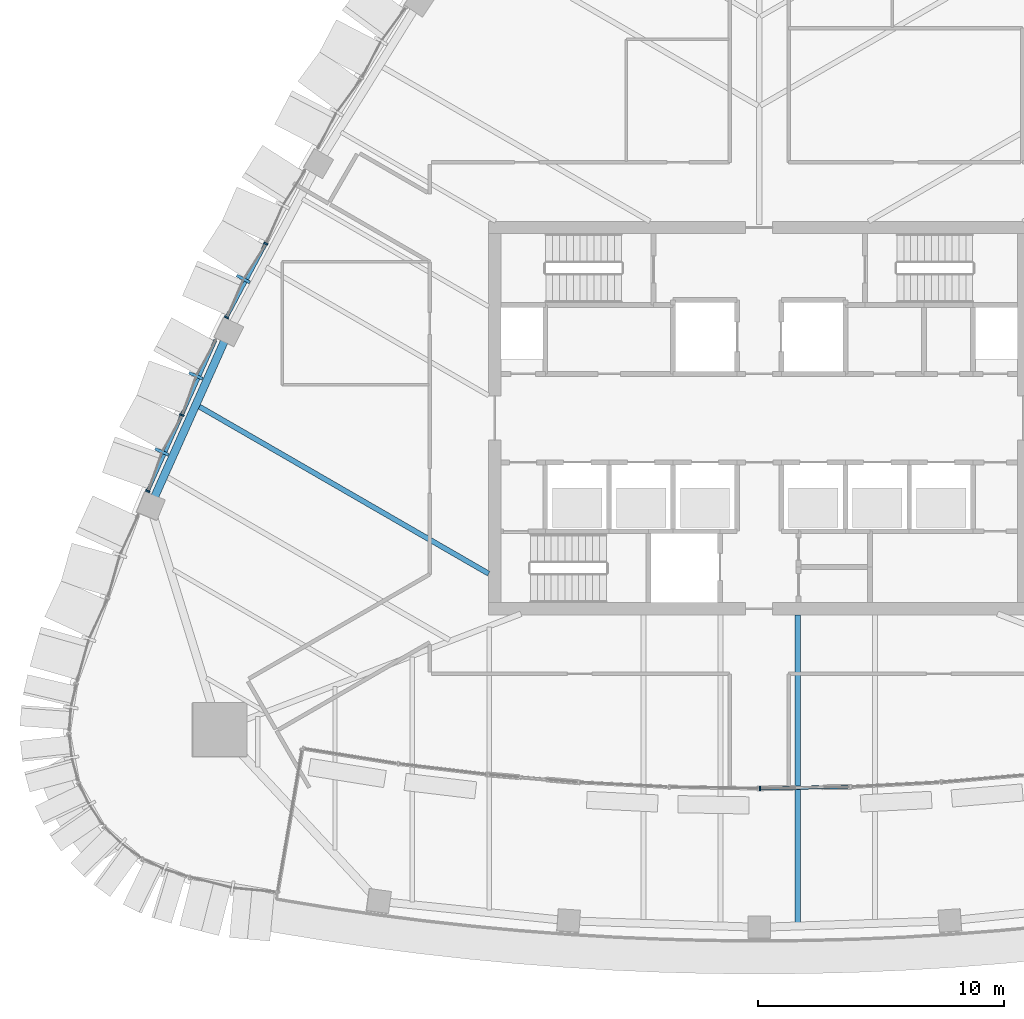
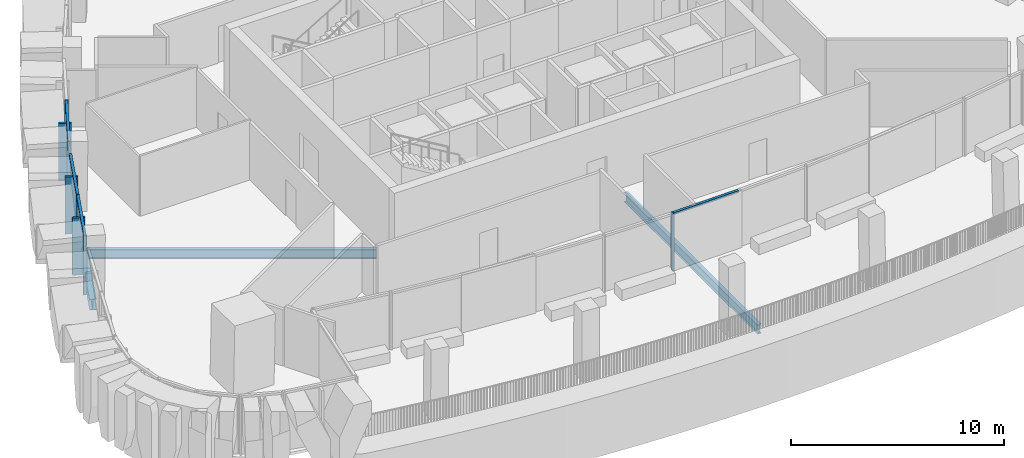
# One storey, part 3 of 22: 12 members, 3 beams, 3 elements without a shape of their own.
"""IFC4 building model written with IfcOpenShell, lengths in metres."""

from ifc_helpers import new_model, si_unit, direction, frame, origin, origin_2d, place, context, subcontext, project, spatial, rectangle, i_section, extrude, material, layer, layer_set, material_profile, profile_set, type_object, element, aggregate, save


model = new_model("IFC4")

# Units and contexts
model_context = context("Model", 3, precision=1e-05, world=origin(), true_north=direction((0.0, 1.0)))
body_context = subcontext(model_context, "Body", "Model", "MODEL_VIEW")
ifc_project = project(units=[si_unit("LENGTHUNIT", "METRE"), si_unit("AREAUNIT", "SQUARE_METRE"), si_unit("VOLUMEUNIT", "CUBIC_METRE"), si_unit("PLANEANGLEUNIT", "RADIAN"), si_unit("MASSUNIT", "GRAM", prefix="KILO")], contexts=[model_context])

# Site, building, storey
site_placement = place(None, origin())
site = spatial("IfcSite", under=ifc_project, at=site_placement, CompositionType="ELEMENT")
building_placement = place(site_placement, origin())
building = spatial("IfcBuilding", under=site, at=building_placement, Name="Sierra Prisma Convention Tower", CompositionType="ELEMENT")
storey_placement = place(building_placement, frame((0.0, 0.0, 243.0)))
storey = spatial("IfcBuildingStorey", under=building, at=storey_placement, Name="L54", CompositionType="ELEMENT", Elevation=243.0)

# Curtain wall, member
ifc_material_1 = material(Name="Aluminium and glass curtain wall", Category="aluminium")
ifc_layer_1 = layer(ifc_material_1, 0.179931640625)
ifc_layer_set_1 = layer_set([ifc_layer_1], Name="CW-2 Faceted crystal curtain wall")
curtain_wall_type_1 = type_object("IfcCurtainWallType", Name="CW-2 Faceted crystal curtain wall", PredefinedType="NOTDEFINED", material=ifc_layer_set_1)
curtain_wall_1_placement = place(storey_placement, origin())
curtain_wall_1 = element("IfcCurtainWall", 1, at=curtain_wall_1_placement, inside=storey, type_object=curtain_wall_type_1, Name="CW-2 NW4 L54", PredefinedType="NOTDEFINED")
ifc_material_2 = material(Name="Aluminium 6063-T6 bronze anodised", Category="aluminium")
ifc_material_profile_1 = material_profile(ifc_material_2, rectangle(XDim=0.1201171875, YDim=0.60009765625, at=origin_2d()), Name="ALU RIDGE BLADE 120x600")
ifc_profile_set_1 = profile_set([ifc_material_profile_1], Name="Aluminium 6063-T6 bronze anodised")
member_type_1 = type_object("IfcMemberType", Name="CW hip bronze", PredefinedType="MULLION", material=ifc_profile_set_1)
member_1_placement = place(storey_placement, frame((-20.97802734375, 5.656982421875, 0.0), z_axis=(0.0, 0.0, 1.0), x_axis=(-0.4701451722, -0.882589098651, 0.0)))
member_1 = element("IfcMember", 2, at=member_1_placement, type_object=member_type_1, Name="CW-2 ridge NW4.2", PredefinedType="MULLION", context=body_context, shape_type="SweptSolid", body=[
    extrude(rectangle(XDim=0.1201171875, YDim=0.60009765625, at=origin_2d()), origin(), (0.0, 0.0, 1.0), 3.280029296875),
])

# Curtain wall, members
curtain_wall_2_placement = place(storey_placement, origin())
curtain_wall_2 = element("IfcCurtainWall", 3, at=curtain_wall_2_placement, inside=storey, type_object=curtain_wall_type_1, Name="CW-2 NW5 L54", PredefinedType="NOTDEFINED")
member_2_placement = place(storey_placement, frame((-22.905517578125, 1.720458984375, 0.0), z_axis=(0.0, 0.0, 1.0), x_axis=(-0.408826858445, -0.912611965632, 0.0)))
member_2 = element("IfcMember", 4, at=member_2_placement, type_object=member_type_1, Name="CW-2 ridge NW5.1", PredefinedType="MULLION", context=body_context, shape_type="SweptSolid", body=[
    extrude(rectangle(XDim=0.1201171875, YDim=0.60009765625, at=origin_2d()), origin(), (0.0, 0.0, 1.0), 3.280029296875),
])
member_3_placement = place(storey_placement, frame((-24.2900390625, -1.3701171875, 0.0), z_axis=(0.0, 0.0, 1.0), x_axis=(-0.408826858445, -0.912611965632, 0.0)))
member_3 = element("IfcMember", 5, at=member_3_placement, type_object=member_type_1, Name="CW-2 ridge NW5.2", PredefinedType="MULLION", context=body_context, shape_type="SweptSolid", body=[
    extrude(rectangle(XDim=0.1201171875, YDim=0.60009765625, at=origin_2d()), origin(), (0.0, 0.0, 1.0), 3.280029296875),
])

# Member
ifc_material_3 = material(Name="Aluminium 6063-T6 bronze anodised", Category="aluminium")
ifc_material_profile_2 = material_profile(ifc_material_3, rectangle(XDim=0.179931640625, YDim=0.070068359375, at=origin_2d()), Name="ALU MULLION 70x180")
ifc_profile_set_2 = profile_set([ifc_material_profile_2], Name="Aluminium 6063-T6 bronze anodised")
member_type_2 = type_object("IfcMemberType", Name="CW mullion bronze", PredefinedType="MULLION", material=ifc_profile_set_2)
member_4_placement = place(storey_placement, frame((-20.0625, 7.096923828125, 0.0), z_axis=(0.0, 0.0, 1.0), x_axis=(0.882589098651, -0.4701451722, 0.0)))
member_4 = element("IfcMember", 6, at=member_4_placement, type_object=member_type_2, Name="CW-1 mullion NW4.2", PredefinedType="MULLION", context=body_context, shape_type="SweptSolid", body=[
    extrude(rectangle(XDim=0.179931640625, YDim=0.070068359375, at=origin_2d()), origin(), (0.0, 0.0, 1.0), 3.39990234375),
])

member_5_placement = place(storey_placement, frame((-21.662109375, 4.09375, 0.0), z_axis=(0.0, 0.0, 1.0), x_axis=(0.882589098651, -0.4701451722, 0.0)))
member_5 = element("IfcMember", 7, at=member_5_placement, type_object=member_type_2, Name="CW-1 mullion NW4.3", PredefinedType="MULLION", context=body_context, shape_type="SweptSolid", body=[
    extrude(rectangle(XDim=0.179931640625, YDim=0.070068359375, at=origin_2d()), origin(), (0.0, 0.0, 1.0), 3.39990234375),
])

member_6_placement = place(storey_placement, frame((-23.478759765625, 0.121826171875, 0.0), z_axis=(0.0, 0.0, 1.0), x_axis=(0.912611965632, -0.408826858445, 0.0)))
member_6 = element("IfcMember", 8, at=member_6_placement, type_object=member_type_2, Name="CW-1 mullion NW5.2", PredefinedType="MULLION", context=body_context, shape_type="SweptSolid", body=[
    extrude(rectangle(XDim=0.179931640625, YDim=0.070068359375, at=origin_2d()), origin(), (0.0, 0.0, 1.0), 3.39990234375),
])

member_7_placement = place(storey_placement, frame((-24.86328125, -2.96875, 0.0), z_axis=(0.0, 0.0, 1.0), x_axis=(0.912611965632, -0.408826858445, 0.0)))
member_7 = element("IfcMember", 9, at=member_7_placement, type_object=member_type_2, Name="CW-1 mullion NW5.3", PredefinedType="MULLION", context=body_context, shape_type="SweptSolid", body=[
    extrude(rectangle(XDim=0.179931640625, YDim=0.070068359375, at=origin_2d()), origin(), (0.0, 0.0, 1.0), 3.39990234375),
])

# Curtain wall, member
ifc_material_4 = material(Name="Aluminium and glass curtain wall", Category="aluminium")
ifc_layer_2 = layer(ifc_material_4, 0.179931640625)
ifc_layer_set_2 = layer_set([ifc_layer_2], Name="CW-6 Terrace recess curtain wall")
curtain_wall_type_2 = type_object("IfcCurtainWallType", Name="CW-6 Terrace recess curtain wall", PredefinedType="NOTDEFINED", material=ifc_layer_set_2)
curtain_wall_3_placement = place(storey_placement, origin())
curtain_wall_3 = element("IfcCurtainWall", 10, at=curtain_wall_3_placement, inside=storey, type_object=curtain_wall_type_2, Name="CW-6 R6 L54", PredefinedType="NOTDEFINED")
member_8_placement = place(storey_placement, frame((0.034912109375, -15.054931640625, 0.0), z_axis=(0.0, 0.0, 1.0), x_axis=(-0.017070930925, 0.999854281042, 0.0)))
member_8 = element("IfcMember", 11, at=member_8_placement, type_object=member_type_2, Name="CW-6 mullion R6.1", PredefinedType="MULLION", context=body_context, shape_type="SweptSolid", body=[
    extrude(rectangle(XDim=0.179931640625, YDim=0.070068359375, at=origin_2d()), origin(), (0.0, 0.0, 1.0), 3.340087890625),
])

# Member
ifc_material_5 = material(Name="Aluminium 6063-T6 bronze anodised", Category="aluminium")
ifc_material_profile_3 = material_profile(ifc_material_5, rectangle(XDim=0.139892578125, YDim=0.1201171875, at=origin_2d()), Name="ALU TRANSOM 120x140")
ifc_profile_set_3 = profile_set([ifc_material_profile_3], Name="Aluminium 6063-T6 bronze anodised")
member_type_3 = type_object("IfcMemberType", Name="CW transom bronze", PredefinedType="USERDEFINED", material=ifc_profile_set_3)
member_9_placement = place(storey_placement, frame((-20.078857421875, 7.06591796875, 3.340087890625), z_axis=(-0.470185127351, -0.882567813835, 0.0), x_axis=(0.882567813835, -0.470185127351, 0.0)))
member_9 = element("IfcMember", 12, at=member_9_placement, type_object=member_type_3, Name="CW-1 transom NW4.2", ObjectType="TRANSOM", PredefinedType="USERDEFINED", context=body_context, shape_type="SweptSolid", body=[
    extrude(rectangle(XDim=0.139892578125, YDim=0.1201171875, at=origin_2d()), origin(), (0.0, 0.0, 1.0), 3.33251953125),
])

aggregate(curtain_wall_1, [member_4, member_5, member_9, member_1])

member_10_placement = place(storey_placement, frame((-22.1083984375, 3.180419921875, 3.340087890625), z_axis=(-0.408855094162, -0.912599316227, 0.0), x_axis=(0.912599316227, -0.408855094162, 0.0)))
member_10 = element("IfcMember", 13, at=member_10_placement, type_object=member_type_3, Name="CW-1 transom NW5.1", ObjectType="TRANSOM", PredefinedType="USERDEFINED", context=body_context, shape_type="SweptSolid", body=[
    extrude(rectangle(XDim=0.139892578125, YDim=0.1201171875, at=origin_2d()), origin(), (0.0, 0.0, 1.0), 3.31640625),
])

member_11_placement = place(storey_placement, frame((-23.492919921875, 0.08984375, 3.340087890625), z_axis=(-0.408827628704, -0.912611620575, 0.0), x_axis=(0.912611620575, -0.408827628704, 0.0)))
member_11 = element("IfcMember", 14, at=member_11_placement, type_object=member_type_3, Name="CW-1 transom NW5.2", ObjectType="TRANSOM", PredefinedType="USERDEFINED", context=body_context, shape_type="SweptSolid", body=[
    extrude(rectangle(XDim=0.139892578125, YDim=0.1201171875, at=origin_2d()), origin(), (0.0, 0.0, 1.0), 3.316650390625),
])

aggregate(curtain_wall_2, [member_6, member_7, member_10, member_2, member_11, member_3])

member_12_placement = place(storey_placement, frame((0.070068359375, -15.05419921875, 3.280029296875), z_axis=(0.999854471356, 0.017059780454, 0.0), x_axis=(-0.017059780454, 0.999854471356, 0.0)))
member_12 = element("IfcMember", 15, at=member_12_placement, type_object=member_type_3, Name="CW-6 transom R6.1", ObjectType="TRANSOM", PredefinedType="USERDEFINED", context=body_context, shape_type="SweptSolid", body=[
    extrude(rectangle(XDim=0.139892578125, YDim=0.1201171875, at=origin_2d()), origin(), (0.0, 0.0, 1.0), 3.549072265625),
])

aggregate(curtain_wall_3, [member_8, member_12])

# Beams
ifc_material_6 = material(Name="Steel ASTM A992 Gr 50", Category="steel")
ifc_material_profile_4 = material_profile(ifc_material_6, i_section(OverallWidth=0.208984375, OverallDepth=0.532958984375, WebThickness=0.01025390625, FlangeThickness=0.015625, at=origin_2d()), Name="W530x92")
ifc_profile_set_4 = profile_set([ifc_material_profile_4], Name="Steel ASTM A992 Gr 50")
beam_type_1 = type_object("IfcBeamType", Name="Floor joist W530x92", PredefinedType="JOIST", material=ifc_profile_set_4)
beam_1_placement = place(storey_placement, frame((1.568359375, -20.53955078125, -0.56640625), z_axis=(0.0, 1.0, 0.0), x_axis=(-1.0, 0.0, 0.0)))
element("IfcBeam", 16, at=beam_1_placement, inside=storey, type_object=beam_type_1, Name="Floor joist L54 S08", PredefinedType="JOIST", context=body_context, shape_type="SweptSolid", body=[
    extrude(i_section(OverallWidth=0.208984375, OverallDepth=0.532958984375, WebThickness=0.01025390625, FlangeThickness=0.015625, at=origin_2d()), origin(), (0.0, 0.0, 1.0), 12.53955078125),
])
beam_2_placement = place(storey_placement, frame((-22.806640625, 0.490234375, -0.41650390625), z_axis=(0.866022759689, -0.500004579679, 0.0), x_axis=(0.500004579679, 0.866022759689, 0.0)))
element("IfcBeam", 17, at=beam_2_placement, inside=storey, type_object=beam_type_1, Name="Floor joist L54 NW11", PredefinedType="JOIST", context=body_context, shape_type="SweptSolid", body=[
    extrude(i_section(OverallWidth=0.208984375, OverallDepth=0.532958984375, WebThickness=0.01025390625, FlangeThickness=0.015625, at=origin_2d()), origin(), (0.0, 0.0, 1.0), 13.633056640625),
])
ifc_material_7 = material(Name="Steel ASTM A992 Gr 50", Category="steel")
ifc_material_profile_5 = material_profile(ifc_material_7, i_section(OverallWidth=0.324951171875, OverallDepth=0.615966796875, WebThickness=0.013916015625, FlangeThickness=0.021484375, at=origin_2d()), Name="W610x174")
ifc_profile_set_5 = profile_set([ifc_material_profile_5], Name="Steel ASTM A992 Gr 50")
beam_type_2 = type_object("IfcBeamType", Name="Spandrel beam W610x174", PredefinedType="BEAM", material=ifc_profile_set_5)
beam_3_placement = place(storey_placement, frame((-21.716552734375, 3.19970703125, -0.4580078125), z_axis=(-0.408821990083, -0.912614146518, 0.0), x_axis=(0.912614146518, -0.408821990083, 0.0)))
element("IfcBeam", 18, at=beam_3_placement, inside=storey, type_object=beam_type_2, Name="Spandrel L54-17", PredefinedType="BEAM", context=body_context, shape_type="SweptSolid", body=[
    extrude(i_section(OverallWidth=0.324951171875, OverallDepth=0.615966796875, WebThickness=0.013916015625, FlangeThickness=0.021484375, at=origin_2d()), origin(), (0.0, 0.0, 1.0), 7.102783203125),
])

save(model, "model.ifc")
